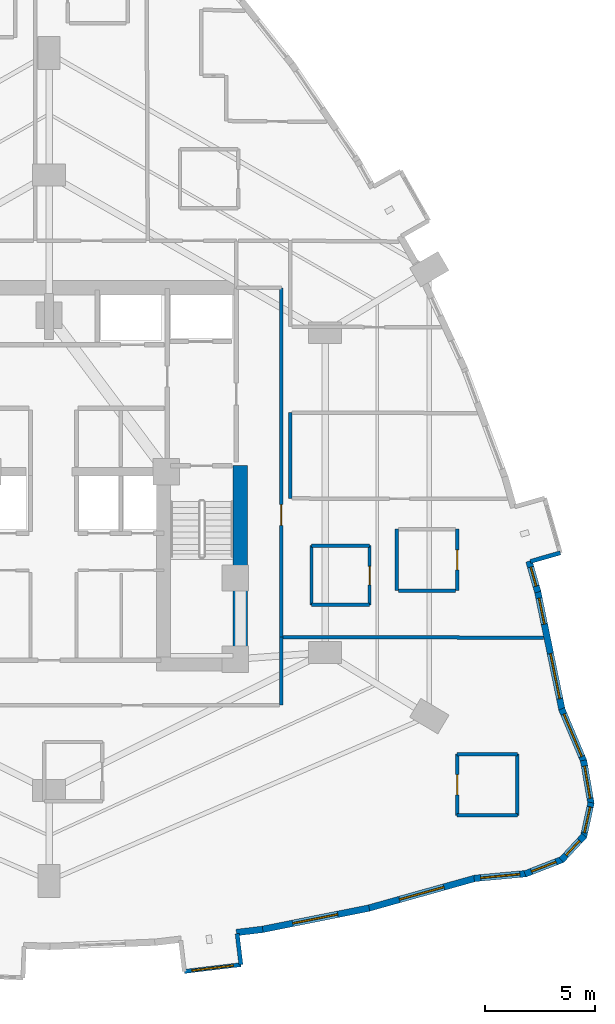
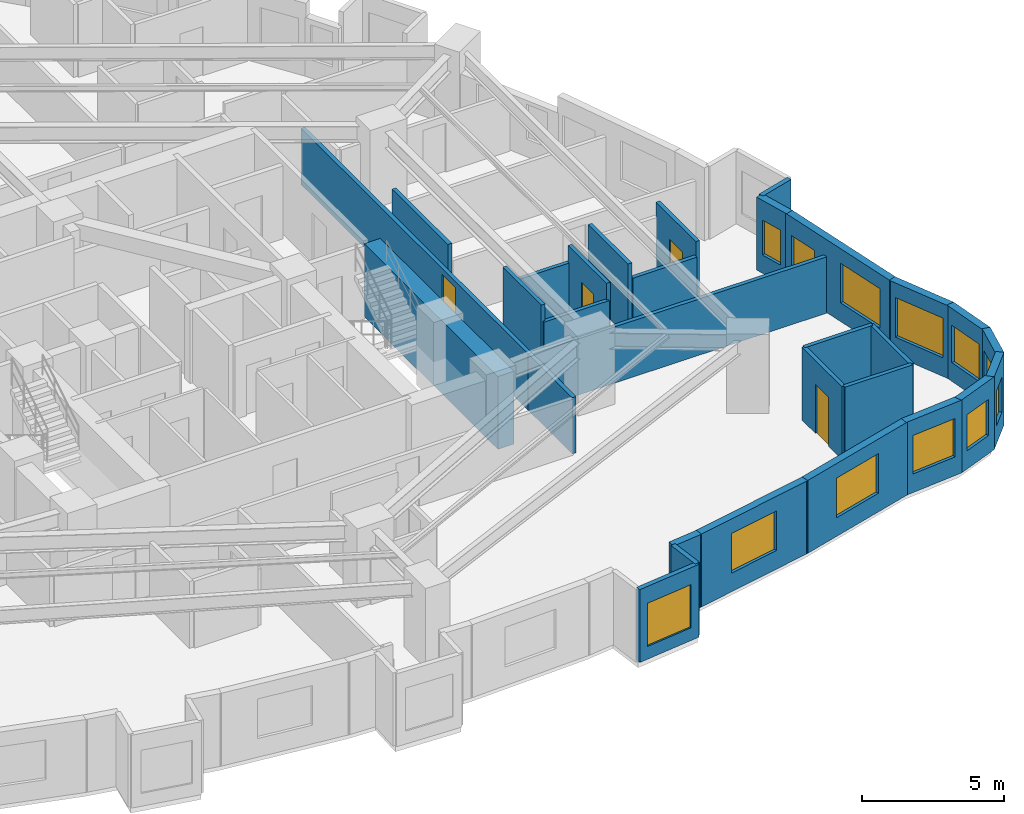
# One storey, part 9 of 13: 30 walls, 12 windows, 4 doors, 16 openings.
"""IFC4 building model written with IfcOpenShell, lengths in metres."""

from ifc_helpers import new_model, si_unit, direction, frame, frame_2d, origin, place, context, subcontext, project, spatial, rectangle, extrude, material, layer, layer_set, type_object, element, fill, save


model = new_model("IFC4")

# Units and contexts
model_context = context("Model", 3, precision=1e-05, world=origin(), true_north=direction((0.0, 1.0)))
body_context = subcontext(model_context, "Body", "Model", "MODEL_VIEW")
ifc_project = project(units=[si_unit("LENGTHUNIT", "METRE"), si_unit("AREAUNIT", "SQUARE_METRE"), si_unit("VOLUMEUNIT", "CUBIC_METRE"), si_unit("PLANEANGLEUNIT", "RADIAN"), si_unit("MASSUNIT", "GRAM", prefix="KILO")], contexts=[model_context])

# Site, building, storey
site_placement = place(None, origin())
site = spatial("IfcSite", under=ifc_project, at=site_placement, CompositionType="ELEMENT")
building_placement = place(site_placement, origin())
building = spatial("IfcBuilding", under=site, at=building_placement, Name="Miruveldt Soraemaru", CompositionType="ELEMENT")
storey_placement = place(building_placement, frame((0.0, 0.0, 46.199951171875)))
storey = spatial("IfcBuildingStorey", under=building, at=storey_placement, Name="L12", CompositionType="ELEMENT", Elevation=46.199951171875)

# Wall
ifc_material_1 = material(Name="White powder-coated aluminium EN AW-6060 T6", Category="aluminium")
ifc_layer_1 = layer(ifc_material_1, 0.18994140625, Name="White powder-coated aluminium EN AW-6060 T6", Category="aluminium")
ifc_layer_set_1 = layer_set([ifc_layer_1], Name="White powder-coated aluminium EN AW-6060 T6")
wall_type_1 = type_object("IfcWallType", Name="WALL-BAY-ALU190", PredefinedType="SOLIDWALL", material=ifc_layer_set_1)
wall_1_placement = place(storey_placement, frame((52.755615234375, 21.554931640625, 0.0), z_axis=(0.0, 0.0, 1.0), x_axis=(-0.119057405757, 0.992887372331, 0.0)))
element("IfcWall", 1, at=wall_1_placement, inside=storey, type_object=wall_type_1, Name="L12 Bay Window Side Cheek 4R", PredefinedType="SOLIDWALL", context=body_context, shape_type="SweptSolid", body=[
    extrude(rectangle(XDim=1.42529296875, YDim=0.18994140625, at=frame_2d((0.712646484375, 0.0))), origin(), (0.0, 0.0, 1.0), 3.125),
])

# Wall, opening, window
wall_2_placement = place(storey_placement, frame((50.174072265625, 21.245361328125, 0.0), z_axis=(0.0, 0.0, 1.0), x_axis=(0.992886610106, 0.119063762211, 0.0)))
wall_2 = element("IfcWall", 2, at=wall_2_placement, inside=storey, type_object=wall_type_1, Name="L12 Bay Window Front Frame 4", PredefinedType="SOLIDWALL", context=body_context, shape_type="SweptSolid", body=[
    extrude(rectangle(XDim=2.60009765625, YDim=0.18994140625, at=frame_2d((1.300048828125, 0.0))), origin(), (0.0, 0.0, 1.0), 3.125),
])
opening_1_placement = place(wall_2_placement, frame((0.35009765625, 0.0, 0.550048828125)))
opening_1 = element("IfcOpeningElement", 3, at=opening_1_placement, cuts=wall_2, Name="Opening WN-6", PredefinedType="OPENING", context=body_context, shape_type="SweptSolid", body=[
    extrude(rectangle(XDim=1.89990234375, YDim=1.85009765625, at=frame_2d((0.949951171875, 0.925048828125))), frame((0.0, 0.10498046875, 0.0), z_axis=(0.0, -1.0, 0.0), x_axis=(1.0, 0.0, 0.0)), (0.0, 0.0, 1.0), 0.2099609375),
])
ifc_material_2 = material(Name="Triple low-e insulated glazing", Category="glass")
window_type_1 = type_object("IfcWindowType", Name="WIN-BAYW-1900x1850", PartitioningType="SINGLE_PANEL", PredefinedType="WINDOW", material=ifc_material_2)
window_1_placement = place(opening_1_placement, origin())
window_1 = element("IfcWindow", 4, at=window_1_placement, inside=storey, type_object=window_type_1, Name="L12 Projecting Bay Window 4", OverallHeight=1.85009765625, OverallWidth=1.89990234375, PartitioningType="SINGLE_PANEL", PredefinedType="WINDOW", context=body_context, shape_type="SweptSolid", body=[
    extrude(rectangle(XDim=1.89990234375, YDim=1.85009765625, at=frame_2d((0.949951171875, 0.925048828125))), frame((0.0, 0.030029296875, 0.0), z_axis=(0.0, -1.0, 0.0), x_axis=(1.0, 0.0, 0.0)), (0.0, 0.0, 1.0), 0.06005859375),
])
fill(opening_1, window_1)

# Walls
wall_3_placement = place(storey_placement, frame((65.96630859375, 39.958984375, 0.0), z_axis=(0.0, 0.0, 1.0), x_axis=(0.961407497968, 0.27512837522, 0.0)))
element("IfcWall", 5, at=wall_3_placement, inside=storey, type_object=wall_type_1, Name="L12 Bay Window Side Cheek 5L", PredefinedType="SOLIDWALL", context=body_context, shape_type="SweptSolid", body=[
    extrude(rectangle(XDim=1.425048828125, YDim=0.18994140625, at=frame_2d((0.71240234375, 0.0))), origin(), (0.0, 0.0, 1.0), 3.125),
])
ifc_material_3 = material(Name="Concrete C80/95 (80 MPa)", Category="concrete")
ifc_layer_2 = layer(ifc_material_3, 0.64990234375, Name="Concrete C80/95 (80 MPa)", Category="concrete")
ifc_layer_set_2 = layer_set([ifc_layer_2], Name="Concrete C80/95 (80 MPa)")
wall_type_2 = type_object("IfcWallType", Name="WALL-CW-650", PredefinedType="SHEAR", material=ifc_layer_set_2)
wall_4_placement = place(storey_placement, frame((52.72509765625, 34.949951171875, 0.0), z_axis=(0.0, 0.0, 1.0), x_axis=(0.0, 1.0, 0.0)))
element("IfcWall", 6, at=wall_4_placement, inside=storey, type_object=wall_type_2, Name="L12 Central Core Shear Wall E1", PredefinedType="SHEAR", context=body_context, shape_type="SweptSolid", body=[
    extrude(rectangle(XDim=9.400146484375, YDim=0.64990234375, at=frame_2d((4.7001953125, 0.0))), origin(), (0.0, 0.0, 1.0), 3.125),
])
ifc_material_4 = material(Name="Precast concrete C45/55 (45 MPa)", Category="concrete")
ifc_layer_3 = layer(ifc_material_4, 0.300048828125, Name="Precast concrete C45/55 (45 MPa)", Category="concrete")
ifc_layer_set_3 = layer_set([ifc_layer_3], Name="Precast concrete C45/55 (45 MPa)")
wall_type_3 = type_object("IfcWallType", Name="WALL-EXT-PC300", PredefinedType="SOLIDWALL", material=ifc_layer_set_3)
wall_5_placement = place(storey_placement, frame((52.549560546875, 23.02099609375, 0.0), z_axis=(0.0, 0.0, 1.0), x_axis=(0.992888272036, 0.119049902368, 0.0)))
element("IfcWall", 7, at=wall_5_placement, inside=storey, type_object=wall_type_3, Name="L12 Precast Pier Wall 26B", PredefinedType="SOLIDWALL", context=body_context, shape_type="SweptSolid", body=[
    extrude(rectangle(XDim=1.2119140625, YDim=0.300048828125, at=frame_2d((0.60595703125, 0.0))), origin(), (0.0, 0.0, 1.0), 3.125),
])

# Wall, opening, window
wall_6_placement = place(storey_placement, frame((53.683837890625, 23.154296875, 0.0), z_axis=(0.0, 0.0, 1.0), x_axis=(0.980576938259, 0.196134821372, 0.0)))
wall_6 = element("IfcWall", 8, at=wall_6_placement, inside=storey, type_object=wall_type_3, Name="L12 Precast Concrete Facade Wall 27", PredefinedType="SOLIDWALL", context=body_context, shape_type="SweptSolid", body=[
    extrude(rectangle(XDim=5.025146484375, YDim=0.300048828125, at=frame_2d((2.5126953125, 0.0))), origin(), (0.0, 0.0, 1.0), 3.125),
])
opening_2_placement = place(wall_6_placement, frame((1.4619140625, 0.0, 0.800048828125)))
opening_2 = element("IfcOpeningElement", 9, at=opening_2_placement, cuts=wall_6, Name="Opening WN-1", PredefinedType="OPENING", context=body_context, shape_type="SweptSolid", body=[
    extrude(rectangle(XDim=2.10009765625, YDim=1.699951171875, at=frame_2d((1.050048828125, 0.85009765625))), frame((0.0, 0.16015625, 0.0), z_axis=(0.0, -1.0, 0.0), x_axis=(1.0, 0.0, 0.0)), (0.0, 0.0, 1.0), 0.320068359375),
])
window_type_2 = type_object("IfcWindowType", Name="WIN-PUNCH-2100x1700", PartitioningType="SINGLE_PANEL", PredefinedType="WINDOW", material=ifc_material_2)
window_2_placement = place(opening_2_placement, origin())
window_2 = element("IfcWindow", 10, at=window_2_placement, inside=storey, type_object=window_type_2, Name="L12 Punched Triple-Glazed Window 27.1", OverallHeight=1.699951171875, OverallWidth=2.10009765625, PartitioningType="SINGLE_PANEL", PredefinedType="WINDOW", context=body_context, shape_type="SweptSolid", body=[
    extrude(rectangle(XDim=2.10009765625, YDim=1.699951171875, at=frame_2d((1.050048828125, 0.85009765625))), frame((0.0, 0.030029296875, 0.0), z_axis=(0.0, -1.0, 0.0), x_axis=(1.0, 0.0, 0.0)), (0.0, 0.0, 1.0), 0.06005859375),
])
fill(opening_2, window_2)

wall_7_placement = place(storey_placement, frame((58.54345703125, 24.12353515625, 0.0), z_axis=(0.0, 0.0, 1.0), x_axis=(0.962965506561, 0.269624615297, 0.0)))
wall_7 = element("IfcWall", 11, at=wall_7_placement, inside=storey, type_object=wall_type_3, Name="L12 Precast Concrete Facade Wall 28", PredefinedType="SOLIDWALL", context=body_context, shape_type="SweptSolid", body=[
    extrude(rectangle(XDim=5.115966796875, YDim=0.300048828125, at=frame_2d((2.55810546875, 0.0))), origin(), (0.0, 0.0, 1.0), 3.125),
])
opening_3_placement = place(wall_7_placement, frame((1.508056640625, 0.0, 0.800048828125)))
opening_3 = element("IfcOpeningElement", 12, at=opening_3_placement, cuts=wall_7, Name="Opening WN-1", PredefinedType="OPENING", context=body_context, shape_type="SweptSolid", body=[
    extrude(rectangle(XDim=2.10009765625, YDim=1.699951171875, at=frame_2d((1.050048828125, 0.85009765625))), frame((0.0, 0.16015625, 0.0), z_axis=(0.0, -1.0, 0.0), x_axis=(1.0, 0.0, 0.0)), (0.0, 0.0, 1.0), 0.320068359375),
])
window_3_placement = place(opening_3_placement, origin())
window_3 = element("IfcWindow", 13, at=window_3_placement, inside=storey, type_object=window_type_2, Name="L12 Punched Triple-Glazed Window 28.1", OverallHeight=1.699951171875, OverallWidth=2.10009765625, PartitioningType="SINGLE_PANEL", PredefinedType="WINDOW", context=body_context, shape_type="SweptSolid", body=[
    extrude(rectangle(XDim=2.10009765625, YDim=1.699951171875, at=frame_2d((1.050048828125, 0.85009765625))), frame((0.0, 0.030029296875, 0.0), z_axis=(0.0, -1.0, 0.0), x_axis=(1.0, 0.0, 0.0)), (0.0, 0.0, 1.0), 0.06005859375),
])
fill(opening_3, window_3)

wall_8_placement = place(storey_placement, frame((63.4013671875, 25.490234375, 0.0), z_axis=(0.0, 0.0, 1.0), x_axis=(0.995763667414, 0.091949544092, 0.0)))
wall_8 = element("IfcWall", 14, at=wall_8_placement, inside=storey, type_object=wall_type_3, Name="L12 Precast Concrete Facade Wall 29", PredefinedType="SOLIDWALL", context=body_context, shape_type="SweptSolid", body=[
    extrude(rectangle(XDim=2.397705078125, YDim=0.300048828125, at=frame_2d((1.19873046875, 0.0))), origin(), (0.0, 0.0, 1.0), 3.125),
])
opening_4_placement = place(wall_8_placement, frame((0.299072265625, 0.0, 0.800048828125)))
opening_4 = element("IfcOpeningElement", 15, at=opening_4_placement, cuts=wall_8, Name="Opening WN-2", PredefinedType="OPENING", context=body_context, shape_type="SweptSolid", body=[
    extrude(rectangle(XDim=1.800048828125, YDim=1.64990234375, at=frame_2d((0.89990234375, 0.824951171875))), frame((0.0, 0.16015625, 0.0), z_axis=(0.0, -1.0, 0.0), x_axis=(1.0, 0.0, 0.0)), (0.0, 0.0, 1.0), 0.320068359375),
])
window_type_3 = type_object("IfcWindowType", Name="WIN-PUNCH-1800x1650", PartitioningType="SINGLE_PANEL", PredefinedType="WINDOW", material=ifc_material_2)
window_4_placement = place(opening_4_placement, origin())
window_4 = element("IfcWindow", 16, at=window_4_placement, inside=storey, type_object=window_type_3, Name="L12 Punched Triple-Glazed Window 29.1", OverallHeight=1.64990234375, OverallWidth=1.800048828125, PartitioningType="SINGLE_PANEL", PredefinedType="WINDOW", context=body_context, shape_type="SweptSolid", body=[
    extrude(rectangle(XDim=1.800048828125, YDim=1.64990234375, at=frame_2d((0.89990234375, 0.824951171875))), frame((0.0, 0.030029296875, 0.0), z_axis=(0.0, -1.0, 0.0), x_axis=(1.0, 0.0, 0.0)), (0.0, 0.0, 1.0), 0.06005859375),
])
fill(opening_4, window_4)

wall_9_placement = place(storey_placement, frame((65.72119140625, 25.69482421875, 0.0), z_axis=(0.0, 0.0, 1.0), x_axis=(0.93226755556, 0.361769546603, 0.0)))
wall_9 = element("IfcWall", 17, at=wall_9_placement, inside=storey, type_object=wall_type_3, Name="L12 Precast Concrete Facade Wall 30", PredefinedType="SOLIDWALL", context=body_context, shape_type="SweptSolid", body=[
    extrude(rectangle(XDim=1.845703125, YDim=0.300048828125, at=frame_2d((0.9228515625, 0.0))), origin(), (0.0, 0.0, 1.0), 3.125),
])
opening_5_placement = place(wall_9_placement, frame((0.322998046875, 0.0, 0.780029296875)))
opening_5 = element("IfcOpeningElement", 18, at=opening_5_placement, cuts=wall_9, Name="Opening WN-4", PredefinedType="OPENING", context=body_context, shape_type="SweptSolid", body=[
    extrude(rectangle(XDim=1.199951171875, YDim=1.550048828125, at=frame_2d((0.60009765625, 0.77490234375))), frame((0.0, 0.16015625, 0.0), z_axis=(0.0, -1.0, 0.0), x_axis=(1.0, 0.0, 0.0)), (0.0, 0.0, 1.0), 0.320068359375),
])
window_type_4 = type_object("IfcWindowType", Name="WIN-PUNCH-1200x1550", PartitioningType="SINGLE_PANEL", PredefinedType="WINDOW", material=ifc_material_2)
window_5_placement = place(opening_5_placement, origin())
window_5 = element("IfcWindow", 19, at=window_5_placement, inside=storey, type_object=window_type_4, Name="L12 Punched Triple-Glazed Window 30.1", OverallHeight=1.550048828125, OverallWidth=1.199951171875, PartitioningType="SINGLE_PANEL", PredefinedType="WINDOW", context=body_context, shape_type="SweptSolid", body=[
    extrude(rectangle(XDim=1.199951171875, YDim=1.550048828125, at=frame_2d((0.60009765625, 0.77490234375))), frame((0.0, 0.030029296875, 0.0), z_axis=(0.0, -1.0, 0.0), x_axis=(1.0, 0.0, 0.0)), (0.0, 0.0, 1.0), 0.06005859375),
])
fill(opening_5, window_5)

wall_10_placement = place(storey_placement, frame((67.385498046875, 26.32421875, 0.0), z_axis=(0.0, 0.0, 1.0), x_axis=(0.680212432131, 0.733015038846, 0.0)))
wall_10 = element("IfcWall", 20, at=wall_10_placement, inside=storey, type_object=wall_type_3, Name="L12 Precast Concrete Facade Wall 31", PredefinedType="SOLIDWALL", context=body_context, shape_type="SweptSolid", body=[
    extrude(rectangle(XDim=1.530517578125, YDim=0.300048828125, at=frame_2d((0.76513671875, 0.0))), origin(), (0.0, 0.0, 1.0), 3.125),
])
opening_6_placement = place(wall_10_placement, frame((0.31494140625, 0.0, 0.780029296875)))
opening_6 = element("IfcOpeningElement", 21, at=opening_6_placement, cuts=wall_10, Name="Opening WN-7", PredefinedType="OPENING", context=body_context, shape_type="SweptSolid", body=[
    extrude(rectangle(XDim=0.89990234375, YDim=1.5, at=frame_2d((0.449951171875, 0.75))), frame((0.0, 0.16015625, 0.0), z_axis=(0.0, -1.0, 0.0), x_axis=(1.0, 0.0, 0.0)), (0.0, 0.0, 1.0), 0.320068359375),
])
window_type_5 = type_object("IfcWindowType", Name="WIN-PUNCH-900x1500", PartitioningType="SINGLE_PANEL", PredefinedType="WINDOW", material=ifc_material_2)
window_6_placement = place(opening_6_placement, origin())
window_6 = element("IfcWindow", 22, at=window_6_placement, inside=storey, type_object=window_type_5, Name="L12 Punched Triple-Glazed Window 31.1", OverallHeight=1.5, OverallWidth=0.89990234375, PartitioningType="SINGLE_PANEL", PredefinedType="WINDOW", context=body_context, shape_type="SweptSolid", body=[
    extrude(rectangle(XDim=0.89990234375, YDim=1.5, at=frame_2d((0.449951171875, 0.75))), frame((0.0, 0.030029296875, 0.0), z_axis=(0.0, -1.0, 0.0), x_axis=(1.0, 0.0, 0.0)), (0.0, 0.0, 1.0), 0.06005859375),
])
fill(opening_6, window_6)

wall_11_placement = place(storey_placement, frame((68.39501953125, 27.38623046875, 0.0), z_axis=(0.0, 0.0, 1.0), x_axis=(0.215851203475, 0.976426268573, 0.0)))
wall_11 = element("IfcWall", 23, at=wall_11_placement, inside=storey, type_object=wall_type_3, Name="L12 Precast Concrete Facade Wall 32", PredefinedType="SOLIDWALL", context=body_context, shape_type="SweptSolid", body=[
    extrude(rectangle(XDim=1.60498046875, YDim=0.300048828125, at=frame_2d((0.802490234375, 0.0))), origin(), (0.0, 0.0, 1.0), 3.125),
])
opening_7_placement = place(wall_11_placement, frame((0.202880859375, 0.0, 0.780029296875)))
opening_7 = element("IfcOpeningElement", 24, at=opening_7_placement, cuts=wall_11, Name="Opening WN-4", PredefinedType="OPENING", context=body_context, shape_type="SweptSolid", body=[
    extrude(rectangle(XDim=1.199951171875, YDim=1.550048828125, at=frame_2d((0.60009765625, 0.77490234375))), frame((0.0, 0.16015625, 0.0), z_axis=(0.0, -1.0, 0.0), x_axis=(1.0, 0.0, 0.0)), (0.0, 0.0, 1.0), 0.320068359375),
])
window_7_placement = place(opening_7_placement, origin())
window_7 = element("IfcWindow", 25, at=window_7_placement, inside=storey, type_object=window_type_4, Name="L12 Punched Triple-Glazed Window 32.1", OverallHeight=1.550048828125, OverallWidth=1.199951171875, PartitioningType="SINGLE_PANEL", PredefinedType="WINDOW", context=body_context, shape_type="SweptSolid", body=[
    extrude(rectangle(XDim=1.199951171875, YDim=1.550048828125, at=frame_2d((0.60009765625, 0.77490234375))), frame((0.0, 0.030029296875, 0.0), z_axis=(0.0, -1.0, 0.0), x_axis=(1.0, 0.0, 0.0)), (0.0, 0.0, 1.0), 0.06005859375),
])
fill(opening_7, window_7)

wall_12_placement = place(storey_placement, frame((68.73974609375, 28.884521484375, 0.0), z_axis=(0.0, 0.0, 1.0), x_axis=(-0.169361944639, 0.985553921259, 0.0)))
wall_12 = element("IfcWall", 26, at=wall_12_placement, inside=storey, type_object=wall_type_3, Name="L12 Precast Concrete Facade Wall 33", PredefinedType="SOLIDWALL", context=body_context, shape_type="SweptSolid", body=[
    extrude(rectangle(XDim=2.025390625, YDim=0.300048828125, at=frame_2d((1.0126953125, 0.0))), origin(), (0.0, 0.0, 1.0), 3.125),
])
opening_8_placement = place(wall_12_placement, frame((0.261962890625, 0.0, 0.800048828125)))
opening_8 = element("IfcOpeningElement", 27, at=opening_8_placement, cuts=wall_12, Name="Opening WN-3", PredefinedType="OPENING", context=body_context, shape_type="SweptSolid", body=[
    extrude(rectangle(XDim=1.5, YDim=1.60009765625, at=frame_2d((0.75, 0.800048828125))), frame((0.0, 0.16015625, 0.0), z_axis=(0.0, -1.0, 0.0), x_axis=(1.0, 0.0, 0.0)), (0.0, 0.0, 1.0), 0.320068359375),
])
window_type_6 = type_object("IfcWindowType", Name="WIN-PUNCH-1500x1600", PartitioningType="SINGLE_PANEL", PredefinedType="WINDOW", material=ifc_material_2)
window_8_placement = place(opening_8_placement, origin())
window_8 = element("IfcWindow", 28, at=window_8_placement, inside=storey, type_object=window_type_6, Name="L12 Punched Triple-Glazed Window 33.1", OverallHeight=1.60009765625, OverallWidth=1.5, PartitioningType="SINGLE_PANEL", PredefinedType="WINDOW", context=body_context, shape_type="SweptSolid", body=[
    extrude(rectangle(XDim=1.5, YDim=1.60009765625, at=frame_2d((0.75, 0.800048828125))), frame((0.0, 0.030029296875, 0.0), z_axis=(0.0, -1.0, 0.0), x_axis=(1.0, 0.0, 0.0)), (0.0, 0.0, 1.0), 0.06005859375),
])
fill(opening_8, window_8)

wall_13_placement = place(storey_placement, frame((68.416259765625, 30.813720703125, 0.0), z_axis=(0.0, 0.0, 1.0), x_axis=(-0.388605550907, 0.921404214123, 0.0)))
wall_13 = element("IfcWall", 29, at=wall_13_placement, inside=storey, type_object=wall_type_3, Name="L12 Precast Concrete Facade Wall 34", PredefinedType="SOLIDWALL", context=body_context, shape_type="SweptSolid", body=[
    extrude(rectangle(XDim=2.6259765625, YDim=0.300048828125, at=frame_2d((1.31298828125, 0.0))), origin(), (0.0, 0.0, 1.0), 3.125),
])
opening_9_placement = place(wall_13_placement, frame((0.262939453125, 0.0, 0.800048828125)))
opening_9 = element("IfcOpeningElement", 30, at=opening_9_placement, cuts=wall_13, Name="Opening WN-1", PredefinedType="OPENING", context=body_context, shape_type="SweptSolid", body=[
    extrude(rectangle(XDim=2.10009765625, YDim=1.699951171875, at=frame_2d((1.050048828125, 0.85009765625))), frame((0.0, 0.16015625, 0.0), z_axis=(0.0, -1.0, 0.0), x_axis=(1.0, 0.0, 0.0)), (0.0, 0.0, 1.0), 0.320068359375),
])
window_9_placement = place(opening_9_placement, origin())
window_9 = element("IfcWindow", 31, at=window_9_placement, inside=storey, type_object=window_type_2, Name="L12 Punched Triple-Glazed Window 34.1", OverallHeight=1.699951171875, OverallWidth=2.10009765625, PartitioningType="SINGLE_PANEL", PredefinedType="WINDOW", context=body_context, shape_type="SweptSolid", body=[
    extrude(rectangle(XDim=2.10009765625, YDim=1.699951171875, at=frame_2d((1.050048828125, 0.85009765625))), frame((0.0, 0.030029296875, 0.0), z_axis=(0.0, -1.0, 0.0), x_axis=(1.0, 0.0, 0.0)), (0.0, 0.0, 1.0), 0.06005859375),
])
fill(opening_9, window_9)

# Wall, openings, windows
wall_14_placement = place(storey_placement, frame((67.41650390625, 33.1669921875, 0.0), z_axis=(0.0, 0.0, 1.0), x_axis=(-0.20157756221, 0.979472555212, 0.0)))
wall_14 = element("IfcWall", 32, at=wall_14_placement, inside=storey, type_object=wall_type_3, Name="L12 Precast Concrete Facade Wall 35", PredefinedType="SOLIDWALL", context=body_context, shape_type="SweptSolid", body=[
    extrude(rectangle(XDim=5.576171875, YDim=0.300048828125, at=frame_2d((2.7880859375, 0.0))), origin(), (0.0, 0.0, 1.0), 3.125),
])
opening_10_placement = place(wall_14_placement, frame((0.5400390625, 0.0, 0.800048828125)))
opening_10 = element("IfcOpeningElement", 33, at=opening_10_placement, cuts=wall_14, Name="Opening WN-1", PredefinedType="OPENING", context=body_context, shape_type="SweptSolid", body=[
    extrude(rectangle(XDim=2.10009765625, YDim=1.699951171875, at=frame_2d((1.050048828125, 0.85009765625))), frame((0.0, 0.16015625, 0.0), z_axis=(0.0, -1.0, 0.0), x_axis=(1.0, 0.0, 0.0)), (0.0, 0.0, 1.0), 0.320068359375),
])
opening_11_placement = place(wall_14_placement, frame((4.01806640625, 0.0, 0.780029296875)))
opening_11 = element("IfcOpeningElement", 34, at=opening_11_placement, cuts=wall_14, Name="Opening WN-4", PredefinedType="OPENING", context=body_context, shape_type="SweptSolid", body=[
    extrude(rectangle(XDim=1.199951171875, YDim=1.550048828125, at=frame_2d((0.60009765625, 0.77490234375))), frame((0.0, 0.16015625, 0.0), z_axis=(0.0, -1.0, 0.0), x_axis=(1.0, 0.0, 0.0)), (0.0, 0.0, 1.0), 0.320068359375),
])
window_10_placement = place(opening_11_placement, origin())
window_10 = element("IfcWindow", 35, at=window_10_placement, inside=storey, type_object=window_type_4, Name="L12 Punched Triple-Glazed Window 35.2", OverallHeight=1.550048828125, OverallWidth=1.199951171875, PartitioningType="SINGLE_PANEL", PredefinedType="WINDOW", context=body_context, shape_type="SweptSolid", body=[
    extrude(rectangle(XDim=1.199951171875, YDim=1.550048828125, at=frame_2d((0.60009765625, 0.77490234375))), frame((0.0, 0.030029296875, 0.0), z_axis=(0.0, -1.0, 0.0), x_axis=(1.0, 0.0, 0.0)), (0.0, 0.0, 1.0), 0.06005859375),
])
fill(opening_11, window_10)
window_11_placement = place(opening_10_placement, origin())
window_11 = element("IfcWindow", 36, at=window_11_placement, inside=storey, type_object=window_type_2, Name="L12 Punched Triple-Glazed Window 35.1", OverallHeight=1.699951171875, OverallWidth=2.10009765625, PartitioningType="SINGLE_PANEL", PredefinedType="WINDOW", context=body_context, shape_type="SweptSolid", body=[
    extrude(rectangle(XDim=2.10009765625, YDim=1.699951171875, at=frame_2d((1.050048828125, 0.85009765625))), frame((0.0, 0.030029296875, 0.0), z_axis=(0.0, -1.0, 0.0), x_axis=(1.0, 0.0, 0.0)), (0.0, 0.0, 1.0), 0.06005859375),
])
fill(opening_10, window_11)

# Wall, opening, window
wall_15_placement = place(storey_placement, frame((66.30908203125, 38.560791015625, 0.0), z_axis=(0.0, 0.0, 1.0), x_axis=(-0.274940666796, 0.961461195131, 0.0)))
wall_15 = element("IfcWall", 37, at=wall_15_placement, inside=storey, type_object=wall_type_3, Name="L12 Precast Pier Wall 36A", PredefinedType="SOLIDWALL", context=body_context, shape_type="SweptSolid", body=[
    extrude(rectangle(XDim=1.46875, YDim=0.300048828125, at=frame_2d((0.734375, 0.0))), origin(), (0.0, 0.0, 1.0), 3.125),
])
opening_12_placement = place(wall_15_placement, frame((0.283935546875, 0.0, 0.780029296875)))
opening_12 = element("IfcOpeningElement", 38, at=opening_12_placement, cuts=wall_15, Name="Opening WN-7", PredefinedType="OPENING", context=body_context, shape_type="SweptSolid", body=[
    extrude(rectangle(XDim=0.89990234375, YDim=1.5, at=frame_2d((0.449951171875, 0.75))), frame((0.0, 0.16015625, 0.0), z_axis=(0.0, -1.0, 0.0), x_axis=(1.0, 0.0, 0.0)), (0.0, 0.0, 1.0), 0.320068359375),
])
window_12_placement = place(opening_12_placement, origin())
window_12 = element("IfcWindow", 39, at=window_12_placement, inside=storey, type_object=window_type_5, Name="L12 Punched Triple-Glazed Window 36A.1", OverallHeight=1.5, OverallWidth=0.89990234375, PartitioningType="SINGLE_PANEL", PredefinedType="WINDOW", context=body_context, shape_type="SweptSolid", body=[
    extrude(rectangle(XDim=0.89990234375, YDim=1.5, at=frame_2d((0.449951171875, 0.75))), frame((0.0, 0.030029296875, 0.0), z_axis=(0.0, -1.0, 0.0), x_axis=(1.0, 0.0, 0.0)), (0.0, 0.0, 1.0), 0.06005859375),
])
fill(opening_12, window_12)

# Wall, opening, door
ifc_material_5 = material(Name="Gypsum plasterboard lining", Category="gypsum")
ifc_layer_4 = layer(ifc_material_5, 0.14990234375, Name="Gypsum plasterboard lining", Category="gypsum")
ifc_layer_set_4 = layer_set([ifc_layer_4], Name="Gypsum plasterboard lining")
wall_type_4 = type_object("IfcWallType", Name="WALL-INT-PLUMB", PredefinedType="PLUMBINGWALL", material=ifc_layer_set_4)
wall_16_placement = place(storey_placement, frame((58.6298828125, 37.97998046875, 0.0), z_axis=(0.0, 0.0, 1.0), x_axis=(0.0, 1.0, 0.0)))
wall_16 = element("IfcWall", 40, at=wall_16_placement, inside=storey, type_object=wall_type_4, Name="L12 Partition Wall 54", PredefinedType="PLUMBINGWALL", context=body_context, shape_type="SweptSolid", body=[
    extrude(rectangle(XDim=2.699951171875, YDim=0.14990234375, at=frame_2d((1.35009765625, 0.0))), origin(), (0.0, 0.0, 1.0), 3.125),
])
opening_13_placement = place(wall_16_placement, frame((0.909912109375, 0.0, 0.0)))
opening_13 = element("IfcOpeningElement", 41, at=opening_13_placement, cuts=wall_16, Name="Opening FD3", PredefinedType="OPENING", context=body_context, shape_type="SweptSolid", body=[
    extrude(rectangle(XDim=0.85009765625, YDim=2.10009765625, at=frame_2d((0.425048828125, 1.050048828125))), frame((0.0, 0.0849609375, 0.0), z_axis=(0.0, -1.0, 0.0), x_axis=(1.0, 0.0, 0.0)), (0.0, 0.0, 1.0), 0.169921875),
])
ifc_material_6 = material(Name="Anodised aluminium EN AW-6063 T6", Category="aluminium")
door_type_1 = type_object("IfcDoorType", Name="DOOR-FD3-850", OperationType="NOTDEFINED", PredefinedType="DOOR", material=ifc_material_6)
door_1_placement = place(opening_13_placement, origin())
door_1 = element("IfcDoor", 42, at=door_1_placement, inside=storey, type_object=door_type_1, Name="L12 Unit 1206 BTH Door", OperationType="SINGLE_SWING_RIGHT", OverallHeight=2.10009765625, OverallWidth=0.85009765625, PredefinedType="DOOR", context=body_context, shape_type="SweptSolid", body=[
    extrude(rectangle(XDim=0.85009765625, YDim=2.10009765625, at=frame_2d((0.425048828125, 1.050048828125))), frame((0.0, 0.02490234375, 0.0), z_axis=(0.0, -1.0, 0.0), x_axis=(1.0, 0.0, 0.0)), (0.0, 0.0, 1.0), 0.050048828125),
])
fill(opening_13, door_1)

# Walls
wall_17_placement = place(storey_placement, frame((55.97998046875, 40.679931640625, 0.0), z_axis=(0.0, 0.0, 1.0), x_axis=(0.0, -1.0, 0.0)))
element("IfcWall", 43, at=wall_17_placement, inside=storey, type_object=wall_type_4, Name="L12 Partition Wall 56", PredefinedType="PLUMBINGWALL", context=body_context, shape_type="SweptSolid", body=[
    extrude(rectangle(XDim=2.699951171875, YDim=0.14990234375, at=frame_2d((1.35009765625, 0.0))), origin(), (0.0, 0.0, 1.0), 3.125),
])
for number, where, z_axis, x_axis, name in (
    (44, (58.6298828125, 40.679931640625, 0.0), (0.0, 0.0, 1.0), (-1.0, 0.0, 0.0), "L12 Partition Wall 55"),
    (45, (55.97998046875, 37.97998046875, 0.0), (0.0, 0.0, 1.0), (1.0, 0.0, 0.0), "L12 Partition Wall 57"),
):
    element("IfcWall", number, at=place(storey_placement, frame(where, z_axis=z_axis, x_axis=x_axis)), inside=storey, type_object=wall_type_4, Name=name, PredefinedType="PLUMBINGWALL", context=body_context, shape_type="SweptSolid", body=[
        extrude(rectangle(XDim=2.64990234375, YDim=0.14990234375, at=frame_2d((1.324951171875, 0.0))), origin(), (0.0, 0.0, 1.0), 2.4130859375),
    ])

# Wall, opening, door
ifc_material_7 = material(Name="Concrete C40/50 (40 MPa)", Category="concrete")
ifc_layer_5 = layer(ifc_material_7, 0.159912109375, Name="Concrete C40/50 (40 MPa)", Category="concrete")
ifc_layer_set_5 = layer_set([ifc_layer_5], Name="Concrete C40/50 (40 MPa)")
wall_type_5 = type_object("IfcWallType", Name="WALL-INT-RC160", PredefinedType="SOLIDWALL", material=ifc_layer_set_5)
wall_18_placement = place(storey_placement, frame((54.60009765625, 36.5048828125, 0.0), z_axis=(0.0, 0.0, 1.0), x_axis=(0.0, 1.0, 0.0)))
wall_18 = element("IfcWall", 46, at=wall_18_placement, inside=storey, type_object=wall_type_5, Name="L12 Partition Wall 7", PredefinedType="SOLIDWALL", context=body_context, shape_type="SweptSolid", body=[
    extrude(rectangle(XDim=15.945068359375, YDim=0.159912109375, at=frame_2d((7.97265625, 0.0))), origin(), (0.0, 0.0, 1.0), 2.4130859375),
])
opening_14_placement = place(wall_18_placement, frame((5.096923828125, 0.0, 0.0)))
opening_14 = element("IfcOpeningElement", 47, at=opening_14_placement, cuts=wall_18, Name="Opening FD2", PredefinedType="OPENING", context=body_context, shape_type="SweptSolid", body=[
    extrude(rectangle(XDim=0.949951171875, YDim=2.14990234375, at=frame_2d((0.47509765625, 1.074951171875))), frame((0.0, 0.08984375, 0.0), z_axis=(0.0, -1.0, 0.0), x_axis=(1.0, 0.0, 0.0)), (0.0, 0.0, 1.0), 0.179931640625),
])
door_type_2 = type_object("IfcDoorType", Name="DOOR-FD2-950", OperationType="NOTDEFINED", PredefinedType="DOOR", material=ifc_material_6)
door_2_placement = place(opening_14_placement, origin())
door_2 = element("IfcDoor", 48, at=door_2_placement, inside=storey, type_object=door_type_2, Name="L12 Unit 1206 Entrance Fire Door", OperationType="SINGLE_SWING_LEFT", OverallHeight=2.14990234375, OverallWidth=0.949951171875, PredefinedType="DOOR", context=body_context, shape_type="SweptSolid", body=[
    extrude(rectangle(XDim=0.949951171875, YDim=2.14990234375, at=frame_2d((0.47509765625, 1.074951171875))), frame((0.0, 0.02490234375, 0.0), z_axis=(0.0, -1.0, 0.0), x_axis=(1.0, 0.0, 0.0)), (0.0, 0.0, 1.0), 0.050048828125),
])
fill(opening_14, door_2)

wall_19_placement = place(storey_placement, frame((62.6298828125, 31.166015625, 0.0), z_axis=(0.0, 0.0, 1.0), x_axis=(0.0, -1.0, 0.0)))
wall_19 = element("IfcWall", 49, at=wall_19_placement, inside=storey, type_object=wall_type_5, Name="L12 Partition Wall 81", PredefinedType="SOLIDWALL", context=body_context, shape_type="SweptSolid", body=[
    extrude(rectangle(XDim=2.800048828125, YDim=0.159912109375, at=frame_2d((1.39990234375, 0.0))), origin(), (0.0, 0.0, 1.0), 3.125),
])
opening_15_placement = place(wall_19_placement, frame((0.93994140625, 0.0, 0.0)))
opening_15 = element("IfcOpeningElement", 50, at=opening_15_placement, cuts=wall_19, Name="Opening D3A", PredefinedType="OPENING", context=body_context, shape_type="SweptSolid", body=[
    extrude(rectangle(XDim=0.919921875, YDim=2.10009765625, at=frame_2d((0.4599609375, 1.050048828125))), frame((0.0, 0.08984375, 0.0), z_axis=(0.0, -1.0, 0.0), x_axis=(1.0, 0.0, 0.0)), (0.0, 0.0, 1.0), 0.179931640625),
])
door_type_3 = type_object("IfcDoorType", Name="DOOR-INT-920", OperationType="NOTDEFINED", PredefinedType="DOOR", material=ifc_material_6)
door_3_placement = place(opening_15_placement, origin())
door_3 = element("IfcDoor", 51, at=door_3_placement, inside=storey, type_object=door_type_3, Name="L12 Unit CL08 KIT Door", OperationType="SINGLE_SWING_LEFT", OverallHeight=2.10009765625, OverallWidth=0.919921875, PredefinedType="DOOR", context=body_context, shape_type="SweptSolid", body=[
    extrude(rectangle(XDim=0.919921875, YDim=2.10009765625, at=frame_2d((0.4599609375, 1.050048828125))), frame((0.0, 0.02490234375, 0.0), z_axis=(0.0, -1.0, 0.0), x_axis=(1.0, 0.0, 0.0)), (0.0, 0.0, 1.0), 0.050048828125),
])
fill(opening_15, door_3)

wall_20_placement = place(storey_placement, frame((62.6298828125, 38.6298828125, 0.0), z_axis=(0.0, 0.0, 1.0), x_axis=(0.0, 1.0, 0.0)))
wall_20 = element("IfcWall", 52, at=wall_20_placement, inside=storey, type_object=wall_type_5, Name="L12 Partition Wall 58", PredefinedType="SOLIDWALL", context=body_context, shape_type="SweptSolid", body=[
    extrude(rectangle(XDim=2.800048828125, YDim=0.159912109375, at=frame_2d((1.39990234375, 0.0))), origin(), (0.0, 0.0, 1.0), 3.125),
])
opening_16_placement = place(wall_20_placement, frame((0.93994140625, 0.0, 0.0)))
opening_16 = element("IfcOpeningElement", 53, at=opening_16_placement, cuts=wall_20, Name="Opening D3A", PredefinedType="OPENING", context=body_context, shape_type="SweptSolid", body=[
    extrude(rectangle(XDim=0.919921875, YDim=2.10009765625, at=frame_2d((0.4599609375, 1.050048828125))), frame((0.0, 0.08984375, 0.0), z_axis=(0.0, -1.0, 0.0), x_axis=(1.0, 0.0, 0.0)), (0.0, 0.0, 1.0), 0.179931640625),
])
door_4_placement = place(opening_16_placement, origin())
door_4 = element("IfcDoor", 54, at=door_4_placement, inside=storey, type_object=door_type_3, Name="L12 Unit 1206 KIT Door", OperationType="SINGLE_SWING_LEFT", OverallHeight=2.10009765625, OverallWidth=0.919921875, PredefinedType="DOOR", context=body_context, shape_type="SweptSolid", body=[
    extrude(rectangle(XDim=0.919921875, YDim=2.10009765625, at=frame_2d((0.4599609375, 1.050048828125))), frame((0.0, 0.02490234375, 0.0), z_axis=(0.0, -1.0, 0.0), x_axis=(1.0, 0.0, 0.0)), (0.0, 0.0, 1.0), 0.050048828125),
])
fill(opening_16, door_4)

# Walls
wall_21_placement = place(storey_placement, frame((54.679931640625, 36.5, 0.0), z_axis=(0.0, 0.0, 1.0), x_axis=(0.999998966346, -0.001437813036, 0.0)))
element("IfcWall", 55, at=wall_21_placement, inside=storey, type_object=wall_type_5, Name="L12 Partition Wall 67", PredefinedType="SOLIDWALL", context=body_context, shape_type="SweptSolid", body=[
    extrude(rectangle(XDim=11.885986328125, YDim=0.159912109375, at=frame_2d((5.94287109375, 0.0))), origin(), (0.0, 0.0, 1.0), 2.4130859375),
])
wall_22_placement = place(storey_placement, frame((55.0, 42.8349609375, 0.0), z_axis=(0.0, 0.0, 1.0), x_axis=(0.0, 1.0, 0.0)))
element("IfcWall", 56, at=wall_22_placement, inside=storey, type_object=wall_type_5, Name="L12 Partition Wall 63", PredefinedType="SOLIDWALL", context=body_context, shape_type="SweptSolid", body=[
    extrude(rectangle(XDim=3.922119140625, YDim=0.159912109375, at=frame_2d((1.9609375, 0.0))), origin(), (0.0, 0.0, 1.0), 3.125),
])
wall_23_placement = place(storey_placement, frame((54.60009765625, 33.39990234375, 0.0), z_axis=(0.0, 0.0, 1.0), x_axis=(0.0, 1.0, 0.0)))
element("IfcWall", 57, at=wall_23_placement, inside=storey, type_object=wall_type_5, Name="L12 Partition Wall 12", PredefinedType="SOLIDWALL", context=body_context, shape_type="SweptSolid", body=[
    extrude(rectangle(XDim=3.10009765625, YDim=0.159912109375, at=frame_2d((1.550048828125, 0.0))), origin(), (0.0, 0.0, 1.0), 2.4130859375),
])
for number, where, z_axis, x_axis, name in (
    (58, (65.3798828125, 28.365966796875, 0.0), (0.0, 0.0, 1.0), (0.0, 1.0, 0.0), "L12 Partition Wall 82"),
    (59, (59.8798828125, 41.429931640625, 0.0), (0.0, 0.0, 1.0), (0.0, -1.0, 0.0), "L12 Partition Wall 60"),
):
    element("IfcWall", number, at=place(storey_placement, frame(where, z_axis=z_axis, x_axis=x_axis)), inside=storey, type_object=wall_type_5, Name=name, PredefinedType="SOLIDWALL", context=body_context, shape_type="SweptSolid", body=[
        extrude(rectangle(XDim=2.800048828125, YDim=0.159912109375, at=frame_2d((1.39990234375, 0.0))), origin(), (0.0, 0.0, 1.0), 3.125),
    ])
for number, where, z_axis, x_axis, name in (
    (60, (65.3798828125, 31.166015625, 0.0), (0.0, 0.0, 1.0), (-1.0, 0.0, 0.0), "L12 Partition Wall 83"),
    (61, (62.6298828125, 28.365966796875, 0.0), (0.0, 0.0, 1.0), (1.0, 0.0, 0.0), "L12 Partition Wall 84"),
):
    element("IfcWall", number, at=place(storey_placement, frame(where, z_axis=z_axis, x_axis=x_axis)), inside=storey, type_object=wall_type_5, Name=name, PredefinedType="SOLIDWALL", context=body_context, shape_type="SweptSolid", body=[
        extrude(rectangle(XDim=2.75, YDim=0.159912109375, at=frame_2d((1.375, 0.0))), origin(), (0.0, 0.0, 1.0), 3.125),
    ])
wall_24_placement = place(storey_placement, frame((59.9599609375, 38.6298828125, 0.0), z_axis=(0.0, 0.0, 1.0), x_axis=(1.0, 0.0, 0.0)))
element("IfcWall", 62, at=wall_24_placement, inside=storey, type_object=wall_type_5, Name="L12 Partition Wall 61", PredefinedType="SOLIDWALL", context=body_context, shape_type="SweptSolid", body=[
    extrude(rectangle(XDim=2.590087890625, YDim=0.159912109375, at=frame_2d((1.294921875, 0.0))), origin(), (0.0, 0.0, 1.0), 2.512939453125),
])

save(model, "model.ifc")
